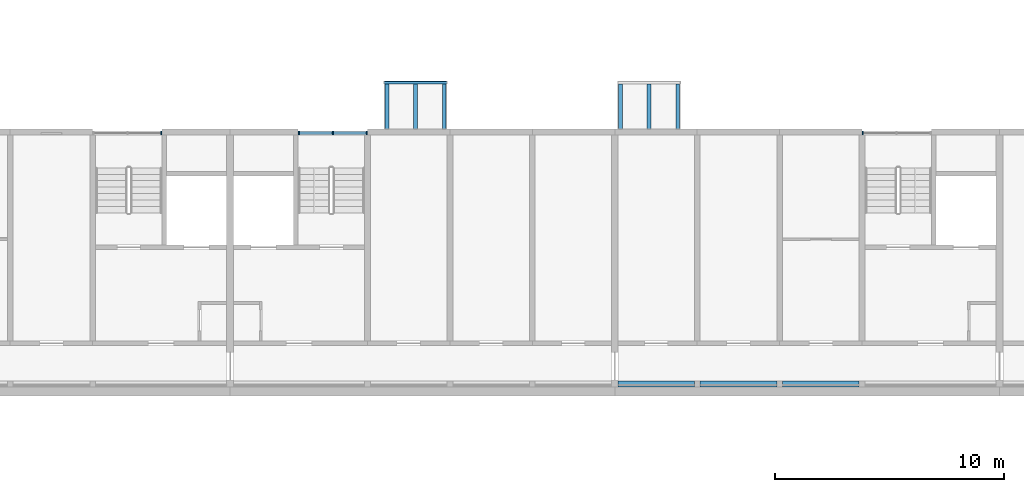
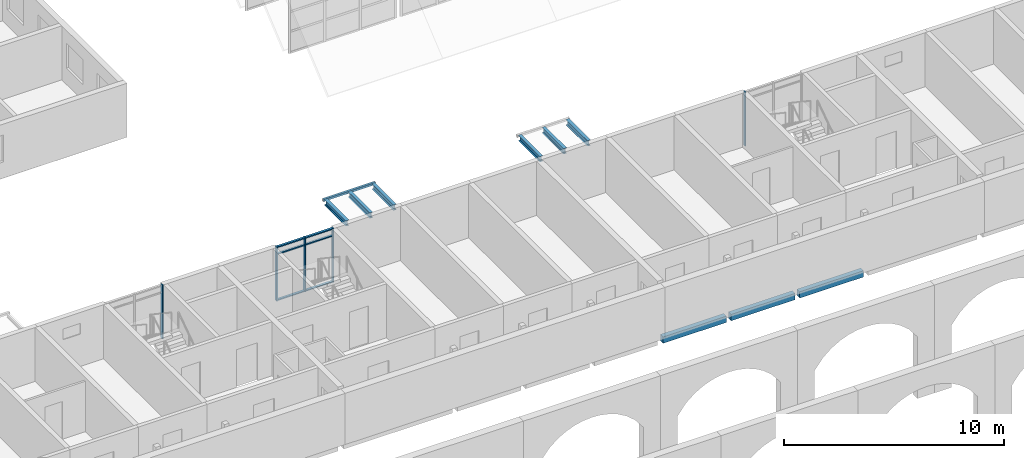
# One storey, part 22 of 122: 11 members, 10 beams, 3 elements without a shape of their own.
"""IFC4 building model written with IfcOpenShell, lengths in metres."""

from ifc_helpers import new_model, si_unit, direction, frame, origin, origin_2d, place, context, subcontext, project, spatial, rectangle, hollow_rectangle, i_section, extrude, material, material_profile, profile_set, type_object, element, aggregate, save


model = new_model("IFC4")

# Units and contexts
model_context = context("Model", 3, precision=1e-05, world=origin(), true_north=direction((0.0, 1.0)))
body_context = subcontext(model_context, "Body", "Model", "MODEL_VIEW")
ifc_project = project(units=[si_unit("LENGTHUNIT", "METRE"), si_unit("AREAUNIT", "SQUARE_METRE"), si_unit("VOLUMEUNIT", "CUBIC_METRE"), si_unit("PLANEANGLEUNIT", "RADIAN"), si_unit("MASSUNIT", "GRAM", prefix="KILO")], contexts=[model_context])

# Site, building, storey
site_placement = place(None, origin())
site = spatial("IfcSite", under=ifc_project, at=site_placement, CompositionType="ELEMENT")
building_placement = place(site_placement, origin())
building = spatial("IfcBuilding", under=site, at=building_placement, Name="Ridgestep Commons", CompositionType="ELEMENT")
storey_placement = place(building_placement, frame((0.0, 0.0, 3.0)))
storey = spatial("IfcBuildingStorey", under=building, at=storey_placement, Name="L01", CompositionType="ELEMENT", Elevation=3.0)

# Beams
ifc_material_1 = material(Name="Precast concrete C40/50", Category="concrete")
ifc_material_profile_1 = material_profile(ifc_material_1, rectangle(XDim=0.25, YDim=0.35009765625, at=origin_2d()), Name="PC 250x350")
ifc_profile_set_1 = profile_set([ifc_material_profile_1], Name="Precast concrete C40/50")
beam_type_1 = type_object("IfcBeamType", Name="Loggia edge beam 250 x 350", PredefinedType="SPANDREL", material=ifc_profile_set_1)
beam_1_placement = place(storey_placement, frame((180.550048828125, 11.875, -0.375), z_axis=(1.0, 0.0, 0.0), x_axis=(0.0, 1.0, 0.0)))
element("IfcBeam", 1, at=beam_1_placement, inside=storey, type_object=beam_type_1, Name="Loggia edge beam D3T1 L01", PredefinedType="SPANDREL", context=body_context, shape_type="SweptSolid", body=[
    extrude(rectangle(XDim=0.25, YDim=0.35009765625, at=origin_2d()), origin(), (0.0, 0.0, 1.0), 3.324951171875),
])
beam_2_placement = place(storey_placement, frame((184.125, 11.875, -0.375), z_axis=(1.0, 0.0, 0.0), x_axis=(0.0, 1.0, 0.0)))
element("IfcBeam", 2, at=beam_2_placement, inside=storey, type_object=beam_type_1, Name="Loggia edge beam D3T2 L01", PredefinedType="SPANDREL", context=body_context, shape_type="SweptSolid", body=[
    extrude(rectangle(XDim=0.25, YDim=0.35009765625, at=origin_2d()), origin(), (0.0, 0.0, 1.0), 3.35009765625),
])
beam_3_placement = place(storey_placement, frame((187.72509765625, 11.875, -0.375), z_axis=(1.0, 0.0, 0.0), x_axis=(0.0, 1.0, 0.0)))
element("IfcBeam", 3, at=beam_3_placement, inside=storey, type_object=beam_type_1, Name="Loggia edge beam D3T3 L01", PredefinedType="SPANDREL", context=body_context, shape_type="SweptSolid", body=[
    extrude(rectangle(XDim=0.25, YDim=0.35009765625, at=origin_2d()), origin(), (0.0, 0.0, 1.0), 3.349853515625),
])

# Curtain wall, member
ifc_material_2 = material(Name="Aluminium 6063-T6 and glass", Category="aluminium")
curtain_wall_type = type_object("IfcCurtainWallType", Name="Curtain wall stair strip", PredefinedType="NOTDEFINED", material=ifc_material_2)
curtain_wall_1_placement = place(storey_placement, origin())
curtain_wall_1 = element("IfcCurtainWall", 4, at=curtain_wall_1_placement, inside=storey, type_object=curtain_wall_type, Name="Curtain wall D1C level 01", PredefinedType="NOTDEFINED")
ifc_material_3 = material(Name="Aluminium 6063-T6", Category="aluminium")
ifc_material_profile_2 = material_profile(ifc_material_3, rectangle(XDim=0.159912109375, YDim=0.06005859375, at=origin_2d()), Name="Mullion 60 x 160")
ifc_profile_set_2 = profile_set([ifc_material_profile_2], Name="Aluminium 6063-T6")
member_type_1 = type_object("IfcMemberType", Name="Mullion 60 x 160", PredefinedType="MULLION", material=ifc_profile_set_2)
member_1_placement = place(storey_placement, frame((160.594970703125, 22.830078125, 0.0), z_axis=(0.0, 0.0, 1.0), x_axis=(0.0, 1.0, 0.0)))
member_1 = element("IfcMember", 5, at=member_1_placement, type_object=member_type_1, Name="CW1 mullion 3", PredefinedType="MULLION", context=body_context, shape_type="SweptSolid", body=[
    extrude(rectangle(XDim=0.159912109375, YDim=0.06005859375, at=origin_2d()), origin(), (0.0, 0.0, 1.0), 3.0),
])
aggregate(curtain_wall_1, [member_1])

# Curtain wall, members
curtain_wall_2_placement = place(storey_placement, origin())
curtain_wall_2 = element("IfcCurtainWall", 6, at=curtain_wall_2_placement, inside=storey, type_object=curtain_wall_type, Name="Curtain wall D2C level 01", PredefinedType="NOTDEFINED")
member_2_placement = place(storey_placement, frame((166.60498046875, 22.830078125, 0.0), z_axis=(0.0, 0.0, 1.0), x_axis=(0.0, 1.0, 0.0)))
member_2 = element("IfcMember", 7, at=member_2_placement, type_object=member_type_1, Name="CW1 mullion 1", PredefinedType="MULLION", context=body_context, shape_type="SweptSolid", body=[
    extrude(rectangle(XDim=0.159912109375, YDim=0.06005859375, at=origin_2d()), origin(), (0.0, 0.0, 1.0), 3.0),
])
member_3_placement = place(storey_placement, frame((168.08740234375, 22.830078125, 0.0), z_axis=(0.0, 0.0, 1.0), x_axis=(0.0, 1.0, 0.0)))
member_3 = element("IfcMember", 8, at=member_3_placement, type_object=member_type_1, Name="CW1 mullion 2", PredefinedType="MULLION", context=body_context, shape_type="SweptSolid", body=[
    extrude(rectangle(XDim=0.159912109375, YDim=0.06005859375, at=origin_2d()), origin(), (0.0, 0.0, 1.0), 3.0),
])
member_4_placement = place(storey_placement, frame((169.570068359375, 22.830078125, 0.0), z_axis=(0.0, 0.0, 1.0), x_axis=(0.0, 1.0, 0.0)))
member_4 = element("IfcMember", 9, at=member_4_placement, type_object=member_type_1, Name="CW1 mullion 3", PredefinedType="MULLION", context=body_context, shape_type="SweptSolid", body=[
    extrude(rectangle(XDim=0.159912109375, YDim=0.06005859375, at=origin_2d()), origin(), (0.0, 0.0, 1.0), 3.0),
])

# Curtain wall, member
curtain_wall_3_placement = place(storey_placement, origin())
curtain_wall_3 = element("IfcCurtainWall", 10, at=curtain_wall_3_placement, inside=storey, type_object=curtain_wall_type, Name="Curtain wall D3C level 01", PredefinedType="NOTDEFINED")
member_5_placement = place(storey_placement, frame((191.22998046875, 22.830078125, 0.0), z_axis=(0.0, 0.0, 1.0), x_axis=(0.0, 1.0, 0.0)))
member_5 = element("IfcMember", 11, at=member_5_placement, type_object=member_type_1, Name="CW1 mullion 1", PredefinedType="MULLION", context=body_context, shape_type="SweptSolid", body=[
    extrude(rectangle(XDim=0.159912109375, YDim=0.06005859375, at=origin_2d()), origin(), (0.0, 0.0, 1.0), 3.0),
])
aggregate(curtain_wall_3, [member_5])

# Member
ifc_material_4 = material(Name="Aluminium 6063-T6", Category="aluminium")
ifc_material_profile_3 = material_profile(ifc_material_4, rectangle(XDim=0.1201171875, YDim=0.06005859375, at=origin_2d()), Name="Transom 60 x 120")
ifc_profile_set_3 = profile_set([ifc_material_profile_3], Name="Aluminium 6063-T6")
member_type_2 = type_object("IfcMemberType", Name="Transom 60 x 120", PredefinedType="USERDEFINED", material=ifc_profile_set_3)
member_6_placement = place(storey_placement, frame((166.635009765625, 22.830078125, 0.030029296875), z_axis=(1.0, 0.0, 0.0), x_axis=(0.0, 1.0, 0.0)))
member_6 = element("IfcMember", 12, at=member_6_placement, type_object=member_type_2, Name="CW1 transom 1.1", ObjectType="TRANSOM", PredefinedType="USERDEFINED", context=body_context, shape_type="SweptSolid", body=[
    extrude(rectangle(XDim=0.1201171875, YDim=0.06005859375, at=origin_2d()), origin(), (0.0, 0.0, 1.0), 1.422607421875),
])

member_7_placement = place(storey_placement, frame((166.635009765625, 22.830078125, 2.590087890625), z_axis=(1.0, 0.0, 0.0), x_axis=(0.0, 1.0, 0.0)))
member_7 = element("IfcMember", 13, at=member_7_placement, type_object=member_type_2, Name="CW1 transom 1.2", ObjectType="TRANSOM", PredefinedType="USERDEFINED", context=body_context, shape_type="SweptSolid", body=[
    extrude(rectangle(XDim=0.1201171875, YDim=0.06005859375, at=origin_2d()), origin(), (0.0, 0.0, 1.0), 1.422607421875),
])

member_8_placement = place(storey_placement, frame((166.635009765625, 22.830078125, 2.969970703125), z_axis=(1.0, 0.0, 0.0), x_axis=(0.0, 1.0, 0.0)))
member_8 = element("IfcMember", 14, at=member_8_placement, type_object=member_type_2, Name="CW1 transom 1.3", ObjectType="TRANSOM", PredefinedType="USERDEFINED", context=body_context, shape_type="SweptSolid", body=[
    extrude(rectangle(XDim=0.1201171875, YDim=0.06005859375, at=origin_2d()), origin(), (0.0, 0.0, 1.0), 1.422607421875),
])

member_9_placement = place(storey_placement, frame((168.117431640625, 22.830078125, 0.030029296875), z_axis=(1.0, 0.0, 0.0), x_axis=(0.0, 1.0, 0.0)))
member_9 = element("IfcMember", 15, at=member_9_placement, type_object=member_type_2, Name="CW1 transom 2.1", ObjectType="TRANSOM", PredefinedType="USERDEFINED", context=body_context, shape_type="SweptSolid", body=[
    extrude(rectangle(XDim=0.1201171875, YDim=0.06005859375, at=origin_2d()), origin(), (0.0, 0.0, 1.0), 1.422607421875),
])

member_10_placement = place(storey_placement, frame((168.117431640625, 22.830078125, 2.590087890625), z_axis=(1.0, 0.0, 0.0), x_axis=(0.0, 1.0, 0.0)))
member_10 = element("IfcMember", 16, at=member_10_placement, type_object=member_type_2, Name="CW1 transom 2.2", ObjectType="TRANSOM", PredefinedType="USERDEFINED", context=body_context, shape_type="SweptSolid", body=[
    extrude(rectangle(XDim=0.1201171875, YDim=0.06005859375, at=origin_2d()), origin(), (0.0, 0.0, 1.0), 1.422607421875),
])

member_11_placement = place(storey_placement, frame((168.117431640625, 22.830078125, 2.969970703125), z_axis=(1.0, 0.0, 0.0), x_axis=(0.0, 1.0, 0.0)))
member_11 = element("IfcMember", 17, at=member_11_placement, type_object=member_type_2, Name="CW1 transom 2.3", ObjectType="TRANSOM", PredefinedType="USERDEFINED", context=body_context, shape_type="SweptSolid", body=[
    extrude(rectangle(XDim=0.1201171875, YDim=0.06005859375, at=origin_2d()), origin(), (0.0, 0.0, 1.0), 1.422607421875),
])

aggregate(curtain_wall_2, [member_2, member_3, member_4, member_6, member_7, member_8, member_9, member_10, member_11])

# Beams
ifc_material_5 = material(Name="Weathering steel S355J2W", Category="steel")
ifc_material_profile_4 = material_profile(ifc_material_5, i_section(OverallWidth=0.1650390625, OverallDepth=0.303466796875, WebThickness=0.006103515625, FlangeThickness=0.01025390625, FilletRadius=0.0087890625, at=origin_2d()), Name="UB 305x165x40")
ifc_profile_set_4 = profile_set([ifc_material_profile_4], Name="Weathering steel S355J2W")
beam_type_2 = type_object("IfcBeamType", Name="Tray arm UB 305x165x40", PredefinedType="BEAM", material=ifc_profile_set_4)
for number, where, z_axis, x_axis, name in (
    (18, (180.64990234375, 23.014892578125, 2.83837890625), (0.0, 1.0, 0.0), (-1.0, 0.0, 0.0), "Tray arm D3T1-02.1"),
    (19, (181.89990234375, 23.014892578125, 2.83837890625), (0.0, 1.0, 0.0), (-1.0, 0.0, 0.0), "Tray arm D3T1-02.2"),
    (20, (183.14990234375, 23.014892578125, 2.83837890625), (0.0, 1.0, 0.0), (-1.0, 0.0, 0.0), "Tray arm D3T1-02.3"),
    (21, (170.449951171875, 23.014892578125, 2.83837890625), (0.0, 1.0, 0.0), (-1.0, 0.0, 0.0), "Tray arm D2T3-02.1"),
    (22, (171.699951171875, 23.014892578125, 2.83837890625), (0.0, 1.0, 0.0), (-1.0, 0.0, 0.0), "Tray arm D2T3-02.2"),
    (23, (172.949951171875, 23.014892578125, 2.83837890625), (0.0, 1.0, 0.0), (-1.0, 0.0, 0.0), "Tray arm D2T3-02.3"),
):
    element("IfcBeam", number, at=place(storey_placement, frame(where, z_axis=z_axis, x_axis=x_axis)), inside=storey, type_object=beam_type_2, Name=name, PredefinedType="BEAM", context=body_context, shape_type="SweptSolid", body=[
        extrude(i_section(OverallWidth=0.1650390625, OverallDepth=0.303466796875, WebThickness=0.006103515625, FlangeThickness=0.01025390625, FilletRadius=0.0087890625, at=origin_2d()), origin(), (0.0, 0.0, 1.0), 1.965087890625),
    ])
ifc_material_6 = material(Name="Weathering steel S355J2W", Category="steel")
ifc_material_profile_5 = material_profile(ifc_material_6, hollow_rectangle(XDim=0.1201171875, YDim=0.1201171875, WallThickness=0.00634765625, InnerFilletRadius=0.00634765625, OuterFilletRadius=0.009521484375, at=origin_2d()), Name="SHS 120x120x6.3")
ifc_profile_set_5 = profile_set([ifc_material_profile_5], Name="Weathering steel S355J2W")
beam_type_3 = type_object("IfcBeamType", Name="Tray edge member SHS 120x120x6.3", PredefinedType="BEAM", material=ifc_profile_set_5)
beam_4_placement = place(storey_placement, frame((170.330078125, 25.0400390625, 2.929931640625), z_axis=(1.0, 0.0, 0.0), x_axis=(0.0, 0.0, 1.0)))
element("IfcBeam", 24, at=beam_4_placement, inside=storey, type_object=beam_type_3, Name="Tray edge member D2T3-02", PredefinedType="BEAM", context=body_context, shape_type="SweptSolid", body=[
    extrude(hollow_rectangle(XDim=0.1201171875, YDim=0.1201171875, WallThickness=0.00634765625, InnerFilletRadius=0.00634765625, OuterFilletRadius=0.009521484375, at=origin_2d()), origin(), (0.0, 0.0, 1.0), 2.739990234375),
])

save(model, "model.ifc")
